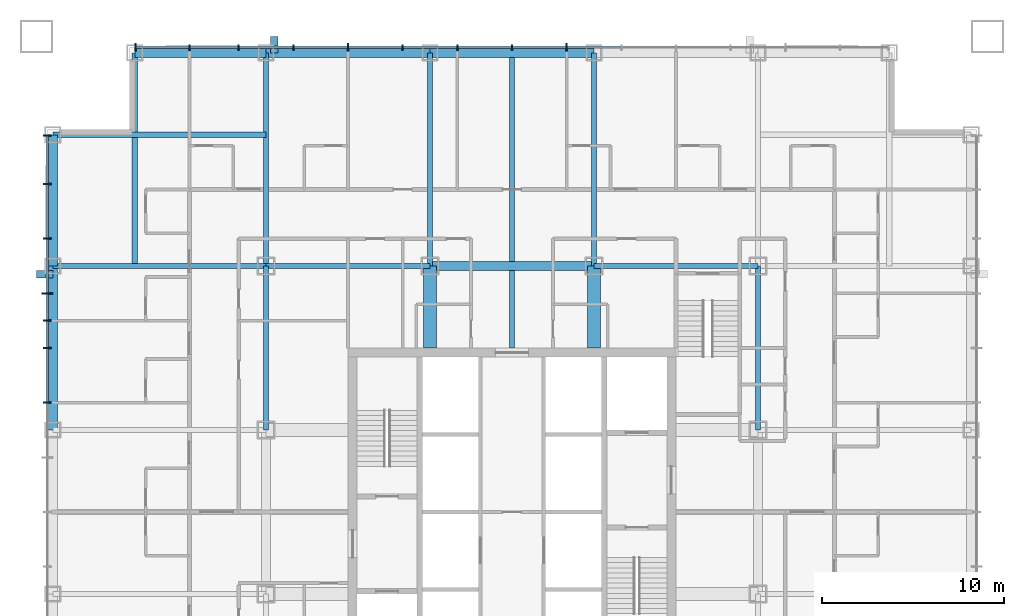
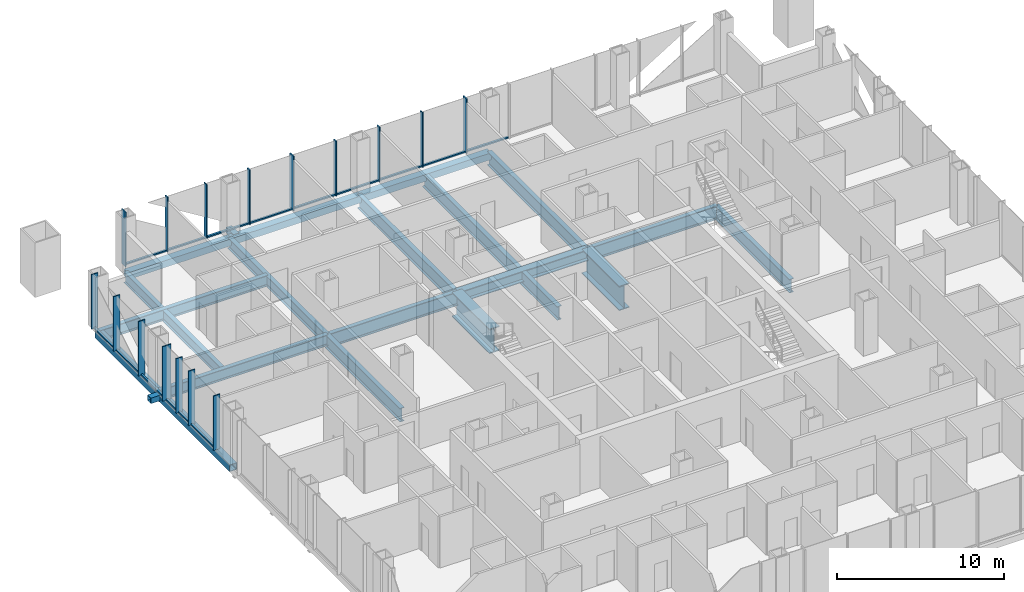
# One storey, part 4 of 13: 33 members, 19 beams, 2 elements without a shape of their own.
"""IFC4 building model written with IfcOpenShell, lengths in metres."""

from ifc_helpers import new_model, si_unit, direction, frame, origin, origin_2d, place, context, subcontext, project, spatial, rectangle, hollow_rectangle, i_section, extrude, material, layer, layer_set, material_profile, profile_set, type_object, element, aggregate, save


model = new_model("IFC4")

# Units and contexts
model_context = context("Model", 3, precision=1e-05, world=origin(), true_north=direction((0.0, 1.0)))
body_context = subcontext(model_context, "Body", "Model", "MODEL_VIEW")
ifc_project = project(units=[si_unit("LENGTHUNIT", "METRE"), si_unit("AREAUNIT", "SQUARE_METRE"), si_unit("VOLUMEUNIT", "CUBIC_METRE"), si_unit("PLANEANGLEUNIT", "RADIAN"), si_unit("MASSUNIT", "GRAM", prefix="KILO")], contexts=[model_context])

# Site, building, storey
site_placement = place(None, origin())
site = spatial("IfcSite", under=ifc_project, at=site_placement, CompositionType="ELEMENT")
building_placement = place(site_placement, origin())
building = spatial("IfcBuilding", under=site, at=building_placement, Name="Malebo Sky Hospital", CompositionType="ELEMENT")
storey_placement = place(building_placement, frame((0.0, 0.0, 87.0)))
storey = spatial("IfcBuildingStorey", under=building, at=storey_placement, Name="L20", CompositionType="ELEMENT", Elevation=87.0)

# Curtain wall, members
ifc_material_1 = material(Name="Anodised aluminium, natural silver", Category="aluminium")
ifc_layer_1 = layer(ifc_material_1, 0.25)
ifc_layer_set_1 = layer_set([ifc_layer_1], Name="WARD CURTAIN WALL NORTH AND SOUTH")
curtain_wall_type_1 = type_object("IfcCurtainWallType", Name="WARD CURTAIN WALL NORTH AND SOUTH", PredefinedType="NOTDEFINED", material=ifc_layer_set_1)
curtain_wall_1_placement = place(storey_placement, origin())
curtain_wall_1 = element("IfcCurtainWall", 1, at=curtain_wall_1_placement, inside=storey, type_object=curtain_wall_type_1, Name="NS curtain wall N", PredefinedType="NOTDEFINED")
ifc_material_profile_1 = material_profile(ifc_material_1, rectangle(XDim=0.14990234375, YDim=0.10009765625, at=origin_2d()), Name="ALUMINIUM TRANSOM 150x100")
ifc_profile_set_1 = profile_set([ifc_material_profile_1], Name="Anodised aluminium, natural silver")
member_type_1 = type_object("IfcMemberType", Name="ALUMINIUM TRANSOM 150x100", PredefinedType="USERDEFINED", material=ifc_profile_set_1)
member_1_placement = place(storey_placement, frame((39.375, 87.5, 0.050048828125), z_axis=(1.0, 0.0, 0.0), x_axis=(0.0, 1.0, 0.0)))
member_1 = element("IfcMember", 2, at=member_1_placement, type_object=member_type_1, Name="Transom 1", ObjectType="TRANSOM", PredefinedType="USERDEFINED", context=body_context, shape_type="SweptSolid", body=[
    extrude(rectangle(XDim=0.14990234375, YDim=0.10009765625, at=origin_2d()), origin(), (0.0, 0.0, 1.0), 2.887451171875),
])
member_2_placement = place(storey_placement, frame((42.33740234375, 87.5, 0.050048828125), z_axis=(1.0, 0.0, 0.0), x_axis=(0.0, 1.0, 0.0)))
member_2 = element("IfcMember", 3, at=member_2_placement, type_object=member_type_1, Name="Transom 2", ObjectType="TRANSOM", PredefinedType="USERDEFINED", context=body_context, shape_type="SweptSolid", body=[
    extrude(rectangle(XDim=0.14990234375, YDim=0.10009765625, at=origin_2d()), origin(), (0.0, 0.0, 1.0), 2.625),
])
member_3_placement = place(storey_placement, frame((45.03759765625, 87.5, 0.050048828125), z_axis=(1.0, 0.0, 0.0), x_axis=(0.0, 1.0, 0.0)))
member_3 = element("IfcMember", 4, at=member_3_placement, type_object=member_type_1, Name="Transom 3", ObjectType="TRANSOM", PredefinedType="USERDEFINED", context=body_context, shape_type="SweptSolid", body=[
    extrude(rectangle(XDim=0.14990234375, YDim=0.10009765625, at=origin_2d()), origin(), (0.0, 0.0, 1.0), 2.9248046875),
])
member_4_placement = place(storey_placement, frame((48.03759765625, 87.5, 0.050048828125), z_axis=(1.0, 0.0, 0.0), x_axis=(0.0, 1.0, 0.0)))
member_4 = element("IfcMember", 5, at=member_4_placement, type_object=member_type_1, Name="Transom 4", ObjectType="TRANSOM", PredefinedType="USERDEFINED", context=body_context, shape_type="SweptSolid", body=[
    extrude(rectangle(XDim=0.14990234375, YDim=0.10009765625, at=origin_2d()), origin(), (0.0, 0.0, 1.0), 2.9248046875),
])
member_5_placement = place(storey_placement, frame((51.03759765625, 87.5, 0.050048828125), z_axis=(1.0, 0.0, 0.0), x_axis=(0.0, 1.0, 0.0)))
member_5 = element("IfcMember", 6, at=member_5_placement, type_object=member_type_1, Name="Transom 5", ObjectType="TRANSOM", PredefinedType="USERDEFINED", context=body_context, shape_type="SweptSolid", body=[
    extrude(rectangle(XDim=0.14990234375, YDim=0.10009765625, at=origin_2d()), origin(), (0.0, 0.0, 1.0), 2.9248046875),
])
member_6_placement = place(storey_placement, frame((54.03759765625, 87.5, 0.050048828125), z_axis=(1.0, 0.0, 0.0), x_axis=(0.0, 1.0, 0.0)))
member_6 = element("IfcMember", 7, at=member_6_placement, type_object=member_type_1, Name="Transom 6", ObjectType="TRANSOM", PredefinedType="USERDEFINED", context=body_context, shape_type="SweptSolid", body=[
    extrude(rectangle(XDim=0.14990234375, YDim=0.10009765625, at=origin_2d()), origin(), (0.0, 0.0, 1.0), 2.9248046875),
])
member_7_placement = place(storey_placement, frame((57.03759765625, 87.5, 0.050048828125), z_axis=(1.0, 0.0, 0.0), x_axis=(0.0, 1.0, 0.0)))
member_7 = element("IfcMember", 8, at=member_7_placement, type_object=member_type_1, Name="Transom 7", ObjectType="TRANSOM", PredefinedType="USERDEFINED", context=body_context, shape_type="SweptSolid", body=[
    extrude(rectangle(XDim=0.14990234375, YDim=0.10009765625, at=origin_2d()), origin(), (0.0, 0.0, 1.0), 2.9248046875),
])
member_8_placement = place(storey_placement, frame((60.03759765625, 87.5, 0.050048828125), z_axis=(1.0, 0.0, 0.0), x_axis=(0.0, 1.0, 0.0)))
member_8 = element("IfcMember", 9, at=member_8_placement, type_object=member_type_1, Name="Transom 8", ObjectType="TRANSOM", PredefinedType="USERDEFINED", context=body_context, shape_type="SweptSolid", body=[
    extrude(rectangle(XDim=0.14990234375, YDim=0.10009765625, at=origin_2d()), origin(), (0.0, 0.0, 1.0), 2.9248046875),
])
member_9_placement = place(storey_placement, frame((63.03759765625, 87.5, 0.050048828125), z_axis=(1.0, 0.0, 0.0), x_axis=(0.0, 1.0, 0.0)))
member_9 = element("IfcMember", 10, at=member_9_placement, type_object=member_type_1, Name="Transom 9", ObjectType="TRANSOM", PredefinedType="USERDEFINED", context=body_context, shape_type="SweptSolid", body=[
    extrude(rectangle(XDim=0.14990234375, YDim=0.10009765625, at=origin_2d()), origin(), (0.0, 0.0, 1.0), 2.9248046875),
])

ifc_layer_2 = layer(ifc_material_1, 0.25)
ifc_layer_set_2 = layer_set([ifc_layer_2], Name="WARD CURTAIN WALL EAST AND WEST")
curtain_wall_type_2 = type_object("IfcCurtainWallType", Name="WARD CURTAIN WALL EAST AND WEST", PredefinedType="NOTDEFINED", material=ifc_layer_set_2)
curtain_wall_2_placement = place(storey_placement, origin())
curtain_wall_2 = element("IfcCurtainWall", 11, at=curtain_wall_2_placement, inside=storey, type_object=curtain_wall_type_2, Name="EW curtain wall W", PredefinedType="NOTDEFINED")
member_10_placement = place(storey_placement, frame((34.5, 68.03759765625, 0.050048828125), z_axis=(0.0, 1.0, 0.0), x_axis=(-1.0, 0.0, 0.0)))
member_10 = element("IfcMember", 12, at=member_10_placement, type_object=member_type_1, Name="Transom 10", ObjectType="TRANSOM", PredefinedType="USERDEFINED", context=body_context, shape_type="SweptSolid", body=[
    extrude(rectangle(XDim=0.14990234375, YDim=0.10009765625, at=origin_2d()), origin(), (0.0, 0.0, 1.0), 2.9248046875),
])
member_11_placement = place(storey_placement, frame((34.5, 71.03759765625, 0.050048828125), z_axis=(0.0, 1.0, 0.0), x_axis=(-1.0, 0.0, 0.0)))
member_11 = element("IfcMember", 13, at=member_11_placement, type_object=member_type_1, Name="Transom 11", ObjectType="TRANSOM", PredefinedType="USERDEFINED", context=body_context, shape_type="SweptSolid", body=[
    extrude(rectangle(XDim=0.14990234375, YDim=0.10009765625, at=origin_2d()), origin(), (0.0, 0.0, 1.0), 1.4248046875),
])
member_12_placement = place(storey_placement, frame((34.5, 72.53759765625, 0.050048828125), z_axis=(0.0, 1.0, 0.0), x_axis=(-1.0, 0.0, 0.0)))
member_12 = element("IfcMember", 14, at=member_12_placement, type_object=member_type_1, Name="Transom 12", ObjectType="TRANSOM", PredefinedType="USERDEFINED", context=body_context, shape_type="SweptSolid", body=[
    extrude(rectangle(XDim=0.14990234375, YDim=0.10009765625, at=origin_2d()), origin(), (0.0, 0.0, 1.0), 1.4248046875),
])
member_13_placement = place(storey_placement, frame((34.5, 74.03759765625, 0.050048828125), z_axis=(0.0, 1.0, 0.0), x_axis=(-1.0, 0.0, 0.0)))
member_13 = element("IfcMember", 15, at=member_13_placement, type_object=member_type_1, Name="Transom 13", ObjectType="TRANSOM", PredefinedType="USERDEFINED", context=body_context, shape_type="SweptSolid", body=[
    extrude(rectangle(XDim=0.14990234375, YDim=0.10009765625, at=origin_2d()), origin(), (0.0, 0.0, 1.0), 2.9248046875),
])
member_14_placement = place(storey_placement, frame((34.5, 77.03759765625, 0.050048828125), z_axis=(0.0, 1.0, 0.0), x_axis=(-1.0, 0.0, 0.0)))
member_14 = element("IfcMember", 16, at=member_14_placement, type_object=member_type_1, Name="Transom 14", ObjectType="TRANSOM", PredefinedType="USERDEFINED", context=body_context, shape_type="SweptSolid", body=[
    extrude(rectangle(XDim=0.14990234375, YDim=0.10009765625, at=origin_2d()), origin(), (0.0, 0.0, 1.0), 2.9248046875),
])
member_15_placement = place(storey_placement, frame((34.5, 80.03759765625, 0.050048828125), z_axis=(0.0, 1.0, 0.0), x_axis=(-1.0, 0.0, 0.0)))
member_15 = element("IfcMember", 17, at=member_15_placement, type_object=member_type_1, Name="Transom 15", ObjectType="TRANSOM", PredefinedType="USERDEFINED", context=body_context, shape_type="SweptSolid", body=[
    extrude(rectangle(XDim=0.14990234375, YDim=0.10009765625, at=origin_2d()), origin(), (0.0, 0.0, 1.0), 2.58740234375),
])

# Members
ifc_material_2 = material(Name="Steel S355", Category="steel")
ifc_material_profile_2 = material_profile(ifc_material_2, hollow_rectangle(XDim=0.39990234375, YDim=0.39990234375, WallThickness=0.02001953125, at=origin_2d()), Name="SHS 400x20")
ifc_profile_set_2 = profile_set([ifc_material_profile_2], Name="Steel S355")
member_type_2 = type_object("IfcMemberType", Name="BRACE STRUT SHS 400x20", PredefinedType="STRUT", material=ifc_profile_set_2)
for number, where, z_axis, x_axis, name in (
    (18, (46.949951171875, 88.10009765625, -0.39990234375), (0.0, -1.0, 0.0), (1.0, 0.0, 0.0), "Brace strut AN1 L20"),
    (19, (33.89990234375, 75.050048828125, -0.39990234375), (1.0, 0.0, 0.0), (0.0, 1.0, 0.0), "Brace strut AW2 L20"),
):
    element("IfcMember", number, at=place(storey_placement, frame(where, z_axis=z_axis, x_axis=x_axis)), inside=storey, type_object=member_type_2, Name=name, PredefinedType="STRUT", context=body_context, shape_type="SweptSolid", body=[
        extrude(hollow_rectangle(XDim=0.39990234375, YDim=0.39990234375, WallThickness=0.02001953125, at=origin_2d()), origin(), (0.0, 0.0, 1.0), 0.900146484375),
    ])

# Member
ifc_material_profile_3 = material_profile(ifc_material_1, rectangle(XDim=0.074951171875, YDim=0.300048828125, at=origin_2d()), Name="CW1 ALUMINIUM FIN MULLION 75x300")
ifc_profile_set_3 = profile_set([ifc_material_profile_3], Name="Anodised aluminium, natural silver")
member_type_3 = type_object("IfcMemberType", Name="CW1 ALUMINIUM FIN MULLION 75x300", PredefinedType="MULLION", material=ifc_profile_set_3)
member_16_placement = place(storey_placement, frame((42.300048828125, 87.5, 0.0), z_axis=(0.0, 0.0, 1.0), x_axis=(1.0, 0.0, 0.0)))
member_16 = element("IfcMember", 20, at=member_16_placement, type_object=member_type_3, Name="Fin mullion 2", PredefinedType="MULLION", context=body_context, shape_type="SweptSolid", body=[
    extrude(rectangle(XDim=0.074951171875, YDim=0.300048828125, at=origin_2d()), origin(), (0.0, 0.0, 1.0), 4.0),
])

member_17_placement = place(storey_placement, frame((45.0, 87.5, 0.0), z_axis=(0.0, 0.0, 1.0), x_axis=(1.0, 0.0, 0.0)))
member_17 = element("IfcMember", 21, at=member_17_placement, type_object=member_type_3, Name="Fin mullion 3", PredefinedType="MULLION", context=body_context, shape_type="SweptSolid", body=[
    extrude(rectangle(XDim=0.074951171875, YDim=0.300048828125, at=origin_2d()), origin(), (0.0, 0.0, 1.0), 4.0),
])

member_18_placement = place(storey_placement, frame((48.0, 87.5, 0.0), z_axis=(0.0, 0.0, 1.0), x_axis=(1.0, 0.0, 0.0)))
member_18 = element("IfcMember", 22, at=member_18_placement, type_object=member_type_3, Name="Fin mullion 4", PredefinedType="MULLION", context=body_context, shape_type="SweptSolid", body=[
    extrude(rectangle(XDim=0.074951171875, YDim=0.300048828125, at=origin_2d()), origin(), (0.0, 0.0, 1.0), 4.0),
])

member_19_placement = place(storey_placement, frame((54.0, 87.5, 0.0), z_axis=(0.0, 0.0, 1.0), x_axis=(1.0, 0.0, 0.0)))
member_19 = element("IfcMember", 23, at=member_19_placement, type_object=member_type_3, Name="Fin mullion 6", PredefinedType="MULLION", context=body_context, shape_type="SweptSolid", body=[
    extrude(rectangle(XDim=0.074951171875, YDim=0.300048828125, at=origin_2d()), origin(), (0.0, 0.0, 1.0), 4.0),
])

member_20_placement = place(storey_placement, frame((57.0, 87.5, 0.0), z_axis=(0.0, 0.0, 1.0), x_axis=(1.0, 0.0, 0.0)))
member_20 = element("IfcMember", 24, at=member_20_placement, type_object=member_type_3, Name="Fin mullion 7", PredefinedType="MULLION", context=body_context, shape_type="SweptSolid", body=[
    extrude(rectangle(XDim=0.074951171875, YDim=0.300048828125, at=origin_2d()), origin(), (0.0, 0.0, 1.0), 4.0),
])

member_21_placement = place(storey_placement, frame((60.0, 87.5, 0.0), z_axis=(0.0, 0.0, 1.0), x_axis=(1.0, 0.0, 0.0)))
member_21 = element("IfcMember", 25, at=member_21_placement, type_object=member_type_3, Name="Fin mullion 8", PredefinedType="MULLION", context=body_context, shape_type="SweptSolid", body=[
    extrude(rectangle(XDim=0.074951171875, YDim=0.300048828125, at=origin_2d()), origin(), (0.0, 0.0, 1.0), 4.0),
])

ifc_material_profile_4 = material_profile(ifc_material_1, rectangle(XDim=0.074951171875, YDim=0.449951171875, at=origin_2d()), Name="CW1 ALUMINIUM FIN MULLION 75x450")
ifc_profile_set_4 = profile_set([ifc_material_profile_4], Name="Anodised aluminium, natural silver")
member_type_4 = type_object("IfcMemberType", Name="CW1 ALUMINIUM FIN MULLION 75x450", PredefinedType="MULLION", material=ifc_profile_set_4)
member_22_placement = place(storey_placement, frame((39.33740234375, 87.5, 0.0), z_axis=(0.0, 0.0, 1.0), x_axis=(1.0, 0.0, 0.0)))
member_22 = element("IfcMember", 26, at=member_22_placement, type_object=member_type_4, Name="Fin mullion 1", PredefinedType="MULLION", context=body_context, shape_type="SweptSolid", body=[
    extrude(rectangle(XDim=0.074951171875, YDim=0.449951171875, at=origin_2d()), origin(), (0.0, 0.0, 1.0), 4.0),
])

member_23_placement = place(storey_placement, frame((51.0, 87.5, 0.0), z_axis=(0.0, 0.0, 1.0), x_axis=(1.0, 0.0, 0.0)))
member_23 = element("IfcMember", 27, at=member_23_placement, type_object=member_type_4, Name="Fin mullion 5", PredefinedType="MULLION", context=body_context, shape_type="SweptSolid", body=[
    extrude(rectangle(XDim=0.074951171875, YDim=0.449951171875, at=origin_2d()), origin(), (0.0, 0.0, 1.0), 4.0),
])

member_24_placement = place(storey_placement, frame((63.0, 87.5, 0.0), z_axis=(0.0, 0.0, 1.0), x_axis=(1.0, 0.0, 0.0)))
member_24 = element("IfcMember", 28, at=member_24_placement, type_object=member_type_4, Name="Fin mullion 9", PredefinedType="MULLION", context=body_context, shape_type="SweptSolid", body=[
    extrude(rectangle(XDim=0.074951171875, YDim=0.449951171875, at=origin_2d()), origin(), (0.0, 0.0, 1.0), 4.0),
])

aggregate(curtain_wall_1, [member_22, member_16, member_17, member_18, member_23, member_19, member_20, member_21, member_24, member_1, member_2, member_3, member_4, member_5, member_6, member_7, member_8, member_9])

ifc_material_profile_5 = material_profile(ifc_material_1, rectangle(XDim=0.074951171875, YDim=0.449951171875, at=origin_2d()), Name="CW2 ALUMINIUM FIN MULLION 75x450")
ifc_profile_set_5 = profile_set([ifc_material_profile_5], Name="Anodised aluminium, natural silver")
member_type_5 = type_object("IfcMemberType", Name="CW2 ALUMINIUM FIN MULLION 75x450", PredefinedType="MULLION", material=ifc_profile_set_5)
member_25_placement = place(storey_placement, frame((34.5, 68.0, 0.0), z_axis=(0.0, 0.0, 1.0), x_axis=(0.0, 1.0, 0.0)))
member_25 = element("IfcMember", 29, at=member_25_placement, type_object=member_type_5, Name="Fin mullion 10", PredefinedType="MULLION", context=body_context, shape_type="SweptSolid", body=[
    extrude(rectangle(XDim=0.074951171875, YDim=0.449951171875, at=origin_2d()), origin(), (0.0, 0.0, 1.0), 4.0),
])

member_26_placement = place(storey_placement, frame((34.5, 71.0, 0.0), z_axis=(0.0, 0.0, 1.0), x_axis=(0.0, 1.0, 0.0)))
member_26 = element("IfcMember", 30, at=member_26_placement, type_object=member_type_5, Name="Fin mullion 11", PredefinedType="MULLION", context=body_context, shape_type="SweptSolid", body=[
    extrude(rectangle(XDim=0.074951171875, YDim=0.449951171875, at=origin_2d()), origin(), (0.0, 0.0, 1.0), 4.0),
])

member_27_placement = place(storey_placement, frame((34.5, 72.5, 0.0), z_axis=(0.0, 0.0, 1.0), x_axis=(0.0, 1.0, 0.0)))
member_27 = element("IfcMember", 31, at=member_27_placement, type_object=member_type_5, Name="Fin mullion 12", PredefinedType="MULLION", context=body_context, shape_type="SweptSolid", body=[
    extrude(rectangle(XDim=0.074951171875, YDim=0.449951171875, at=origin_2d()), origin(), (0.0, 0.0, 1.0), 4.0),
])

member_28_placement = place(storey_placement, frame((34.5, 77.0, 0.0), z_axis=(0.0, 0.0, 1.0), x_axis=(0.0, 1.0, 0.0)))
member_28 = element("IfcMember", 32, at=member_28_placement, type_object=member_type_5, Name="Fin mullion 14", PredefinedType="MULLION", context=body_context, shape_type="SweptSolid", body=[
    extrude(rectangle(XDim=0.074951171875, YDim=0.449951171875, at=origin_2d()), origin(), (0.0, 0.0, 1.0), 4.0),
])

member_29_placement = place(storey_placement, frame((34.5, 80.0, 0.0), z_axis=(0.0, 0.0, 1.0), x_axis=(0.0, 1.0, 0.0)))
member_29 = element("IfcMember", 33, at=member_29_placement, type_object=member_type_5, Name="Fin mullion 15", PredefinedType="MULLION", context=body_context, shape_type="SweptSolid", body=[
    extrude(rectangle(XDim=0.074951171875, YDim=0.449951171875, at=origin_2d()), origin(), (0.0, 0.0, 1.0), 4.0),
])

member_30_placement = place(storey_placement, frame((34.5, 82.66259765625, 0.0), z_axis=(0.0, 0.0, 1.0), x_axis=(0.0, 1.0, 0.0)))
member_30 = element("IfcMember", 34, at=member_30_placement, type_object=member_type_5, Name="Fin mullion 16", PredefinedType="MULLION", context=body_context, shape_type="SweptSolid", body=[
    extrude(rectangle(XDim=0.074951171875, YDim=0.449951171875, at=origin_2d()), origin(), (0.0, 0.0, 1.0), 4.0),
])

ifc_material_profile_6 = material_profile(ifc_material_1, rectangle(XDim=0.074951171875, YDim=0.60009765625, at=origin_2d()), Name="CW2 ALUMINIUM FIN MULLION 75x600")
ifc_profile_set_6 = profile_set([ifc_material_profile_6], Name="Anodised aluminium, natural silver")
member_type_6 = type_object("IfcMemberType", Name="CW2 ALUMINIUM FIN MULLION 75x600", PredefinedType="MULLION", material=ifc_profile_set_6)
member_31_placement = place(storey_placement, frame((34.5, 74.0, 0.0), z_axis=(0.0, 0.0, 1.0), x_axis=(0.0, 1.0, 0.0)))
member_31 = element("IfcMember", 35, at=member_31_placement, type_object=member_type_6, Name="Fin mullion 13", PredefinedType="MULLION", context=body_context, shape_type="SweptSolid", body=[
    extrude(rectangle(XDim=0.074951171875, YDim=0.60009765625, at=origin_2d()), origin(), (0.0, 0.0, 1.0), 4.0),
])

aggregate(curtain_wall_2, [member_25, member_26, member_27, member_31, member_28, member_29, member_30, member_10, member_11, member_12, member_13, member_14, member_15])

# Beams
ifc_material_3 = material(Name="Steel S460", Category="steel")
ifc_material_profile_7 = material_profile(ifc_material_3, hollow_rectangle(XDim=0.5, YDim=0.5, WallThickness=0.030029296875, at=origin_2d()), Name="BOX 500x500x30")
ifc_profile_set_7 = profile_set([ifc_material_profile_7], Name="Steel S460")
beam_type_1 = type_object("IfcBeamType", Name="EDGE BEAM BOX 500x500x30", PredefinedType="BEAM", material=ifc_profile_set_7)
beam_1_placement = place(storey_placement, frame((34.800048828125, 66.5, -0.5), z_axis=(0.0, 1.0, 0.0), x_axis=(-1.0, 0.0, 0.0)))
element("IfcBeam", 36, at=beam_1_placement, inside=storey, type_object=beam_type_1, Name="Beam 003 L20", PredefinedType="BEAM", context=body_context, shape_type="SweptSolid", body=[
    extrude(hollow_rectangle(XDim=0.5, YDim=0.5, WallThickness=0.030029296875, at=origin_2d()), origin(), (0.0, 0.0, 1.0), 9.0),
])
for number, where, z_axis, x_axis, name in (
    (37, (34.800048828125, 75.5, -0.5), (0.0, 1.0, 0.0), (-1.0, 0.0, 0.0), "Beam 004 L20"),
    (38, (39.300048828125, 87.199951171875, -0.5), (1.0, 0.0, 0.0), (0.0, 1.0, 0.0), "Beam 063 L20"),
):
    element("IfcBeam", number, at=place(storey_placement, frame(where, z_axis=z_axis, x_axis=x_axis)), inside=storey, type_object=beam_type_1, Name=name, PredefinedType="BEAM", context=body_context, shape_type="SweptSolid", body=[
        extrude(hollow_rectangle(XDim=0.5, YDim=0.5, WallThickness=0.030029296875, at=origin_2d()), origin(), (0.0, 0.0, 1.0), 7.199951171875),
    ])
for number, where, z_axis, x_axis, name in (
    (39, (46.5, 87.199951171875, -0.5), (1.0, 0.0, 0.0), (0.0, 1.0, 0.0), "Beam 064 L20"),
    (40, (55.5, 87.199951171875, -0.5), (1.0, 0.0, 0.0), (0.0, 1.0, 0.0), "Beam 065 L20"),
):
    element("IfcBeam", number, at=place(storey_placement, frame(where, z_axis=z_axis, x_axis=x_axis)), inside=storey, type_object=beam_type_1, Name=name, PredefinedType="BEAM", context=body_context, shape_type="SweptSolid", body=[
        extrude(hollow_rectangle(XDim=0.5, YDim=0.5, WallThickness=0.030029296875, at=origin_2d()), origin(), (0.0, 0.0, 1.0), 9.0),
    ])
ifc_material_profile_8 = material_profile(ifc_material_2, i_section(OverallWidth=0.300048828125, OverallDepth=1.0, WebThickness=0.01904296875, FlangeThickness=0.035888671875, FilletRadius=0.030029296875, at=origin_2d()), Name="HEB 1000")
ifc_profile_set_8 = profile_set([ifc_material_profile_8], Name="Steel S355")
beam_type_2 = type_object("IfcBeamType", Name="FLOOR BEAM HEB 1000", PredefinedType="BEAM", material=ifc_profile_set_8)
beam_2_placement = place(storey_placement, frame((46.5, 66.5, -0.75), z_axis=(0.0, 1.0, 0.0), x_axis=(-1.0, 0.0, 0.0)))
element("IfcBeam", 41, at=beam_2_placement, inside=storey, type_object=beam_type_2, Name="Beam 010 L20", PredefinedType="BEAM", context=body_context, shape_type="SweptSolid", body=[
    extrude(i_section(OverallWidth=0.300048828125, OverallDepth=1.0, WebThickness=0.01904296875, FlangeThickness=0.035888671875, FilletRadius=0.030029296875, at=origin_2d()), origin(), (0.0, 0.0, 1.0), 9.0),
])
beam_3_placement = place(storey_placement, frame((55.5, 75.5, -0.75), z_axis=(0.0, 1.0, 0.0), x_axis=(-1.0, 0.0, 0.0)))
element("IfcBeam", 42, at=beam_3_placement, inside=storey, type_object=beam_type_2, Name="Beam 015 L20", PredefinedType="BEAM", context=body_context, shape_type="SweptSolid", body=[
    extrude(i_section(OverallWidth=0.300048828125, OverallDepth=1.0, WebThickness=0.01904296875, FlangeThickness=0.035888671875, FilletRadius=0.030029296875, at=origin_2d()), origin(), (0.0, 0.0, 1.0), 11.699951171875),
])
beam_4_placement = place(storey_placement, frame((60.0, 71.0, -0.75), z_axis=(0.0, 1.0, 0.0), x_axis=(-1.0, 0.0, 0.0)))
element("IfcBeam", 43, at=beam_4_placement, inside=storey, type_object=beam_type_2, Name="Beam 017 L20", PredefinedType="BEAM", context=body_context, shape_type="SweptSolid", body=[
    extrude(i_section(OverallWidth=0.300048828125, OverallDepth=1.0, WebThickness=0.01904296875, FlangeThickness=0.035888671875, FilletRadius=0.030029296875, at=origin_2d()), origin(), (0.0, 0.0, 1.0), 16.199951171875),
])
beam_5_placement = place(storey_placement, frame((64.5, 75.5, -0.75), z_axis=(0.0, 1.0, 0.0), x_axis=(-1.0, 0.0, 0.0)))
element("IfcBeam", 44, at=beam_5_placement, inside=storey, type_object=beam_type_2, Name="Beam 021 L20", PredefinedType="BEAM", context=body_context, shape_type="SweptSolid", body=[
    extrude(i_section(OverallWidth=0.300048828125, OverallDepth=1.0, WebThickness=0.01904296875, FlangeThickness=0.035888671875, FilletRadius=0.030029296875, at=origin_2d()), origin(), (0.0, 0.0, 1.0), 11.699951171875),
])
for number, where, z_axis, x_axis, name in (
    (45, (73.5, 66.5, -0.75), (0.0, 1.0, 0.0), (-1.0, 0.0, 0.0), "Beam 025 L20"),
    (46, (46.5, 75.5, -0.75), (1.0, 0.0, 0.0), (0.0, 1.0, 0.0), "Beam 057 L20"),
    (47, (64.5, 75.5, -0.75), (1.0, 0.0, 0.0), (0.0, 1.0, 0.0), "Beam 059 L20"),
):
    element("IfcBeam", number, at=place(storey_placement, frame(where, z_axis=z_axis, x_axis=x_axis)), inside=storey, type_object=beam_type_2, Name=name, PredefinedType="BEAM", context=body_context, shape_type="SweptSolid", body=[
        extrude(i_section(OverallWidth=0.300048828125, OverallDepth=1.0, WebThickness=0.01904296875, FlangeThickness=0.035888671875, FilletRadius=0.030029296875, at=origin_2d()), origin(), (0.0, 0.0, 1.0), 9.0),
    ])
ifc_material_profile_9 = material_profile(ifc_material_2, i_section(OverallWidth=0.300048828125, OverallDepth=0.800048828125, WebThickness=0.017578125, FlangeThickness=0.032958984375, FilletRadius=0.030029296875, at=origin_2d()), Name="HEB 800")
ifc_profile_set_9 = profile_set([ifc_material_profile_9], Name="Steel S355")
beam_type_3 = type_object("IfcBeamType", Name="FLOOR BEAM HEB 800", PredefinedType="BEAM", material=ifc_profile_set_9)
for number, where, z_axis, x_axis, name in (
    (48, (39.300048828125, 75.5, -0.64990234375), (0.0, 1.0, 0.0), (-1.0, 0.0, 0.0), "Beam 006 L20"),
    (49, (34.800048828125, 82.699951171875, -0.64990234375), (1.0, 0.0, 0.0), (0.0, 1.0, 0.0), "Beam 061 L20"),
):
    element("IfcBeam", number, at=place(storey_placement, frame(where, z_axis=z_axis, x_axis=x_axis)), inside=storey, type_object=beam_type_3, Name=name, PredefinedType="BEAM", context=body_context, shape_type="SweptSolid", body=[
        extrude(i_section(OverallWidth=0.300048828125, OverallDepth=0.800048828125, WebThickness=0.017578125, FlangeThickness=0.032958984375, FilletRadius=0.030029296875, at=origin_2d()), origin(), (0.0, 0.0, 1.0), 11.699951171875),
    ])
ifc_material_profile_10 = material_profile(ifc_material_2, i_section(OverallWidth=0.699951171875, OverallDepth=1.800048828125, WebThickness=0.034912109375, FlangeThickness=0.070068359375, at=origin_2d()), Name="PG 1800x700x35x70")
ifc_profile_set_10 = profile_set([ifc_material_profile_10], Name="Steel S355")
beam_type_4 = type_object("IfcBeamType", Name="FLOOR BEAM PG 1800x700x35x70", PredefinedType="BEAM", material=ifc_profile_set_10)
for number, where, z_axis, x_axis, name in (
    (50, (55.5, 71.0, -1.14990234375), (0.0, 1.0, 0.0), (-1.0, 0.0, 0.0), "Beam 014 L20"),
    (51, (64.5, 71.0, -1.14990234375), (0.0, 1.0, 0.0), (-1.0, 0.0, 0.0), "Beam 020 L20"),
):
    element("IfcBeam", number, at=place(storey_placement, frame(where, z_axis=z_axis, x_axis=x_axis)), inside=storey, type_object=beam_type_4, Name=name, PredefinedType="BEAM", context=body_context, shape_type="SweptSolid", body=[
        extrude(i_section(OverallWidth=0.699951171875, OverallDepth=1.800048828125, WebThickness=0.034912109375, FlangeThickness=0.070068359375, at=origin_2d()), origin(), (0.0, 0.0, 1.0), 4.5),
    ])
ifc_material_profile_11 = material_profile(ifc_material_2, i_section(OverallWidth=0.300048828125, OverallDepth=0.800048828125, WebThickness=0.017578125, FlangeThickness=0.032958984375, FilletRadius=0.030029296875, at=origin_2d()), Name="HEB 800")
ifc_profile_set_11 = profile_set([ifc_material_profile_11], Name="Steel S355")
beam_type_5 = type_object("IfcBeamType", Name="FLOOR GIRDER HEB 800", PredefinedType="BEAM", material=ifc_profile_set_11)
for number, where, z_axis, x_axis, name in (
    (52, (46.5, 75.5, -0.64990234375), (0.0, 1.0, 0.0), (-1.0, 0.0, 0.0), "Beam 011 L20"),
    (53, (34.800048828125, 75.5, -0.64990234375), (1.0, 0.0, 0.0), (0.0, 1.0, 0.0), "Beam 056 L20"),
):
    element("IfcBeam", number, at=place(storey_placement, frame(where, z_axis=z_axis, x_axis=x_axis)), inside=storey, type_object=beam_type_5, Name=name, PredefinedType="BEAM", context=body_context, shape_type="SweptSolid", body=[
        extrude(i_section(OverallWidth=0.300048828125, OverallDepth=0.800048828125, WebThickness=0.017578125, FlangeThickness=0.032958984375, FilletRadius=0.030029296875, at=origin_2d()), origin(), (0.0, 0.0, 1.0), 11.699951171875),
    ])
ifc_material_profile_12 = material_profile(ifc_material_2, i_section(OverallWidth=0.5, OverallDepth=0.800048828125, WebThickness=0.030029296875, FlangeThickness=0.050048828125, at=origin_2d()), Name="PG 800x500x30x50")
ifc_profile_set_12 = profile_set([ifc_material_profile_12], Name="Steel S355")
beam_type_6 = type_object("IfcBeamType", Name="RING GIRDER PG 800x500x30x50", PredefinedType="BEAM", material=ifc_profile_set_12)
beam_6_placement = place(storey_placement, frame((55.5, 75.5, -0.64990234375), z_axis=(1.0, 0.0, 0.0), x_axis=(0.0, 1.0, 0.0)))
element("IfcBeam", 54, at=beam_6_placement, inside=storey, type_object=beam_type_6, Name="Beam 058 L20", PredefinedType="BEAM", context=body_context, shape_type="SweptSolid", body=[
    extrude(i_section(OverallWidth=0.5, OverallDepth=0.800048828125, WebThickness=0.030029296875, FlangeThickness=0.050048828125, at=origin_2d()), origin(), (0.0, 0.0, 1.0), 9.0),
])

save(model, "model.ifc")
